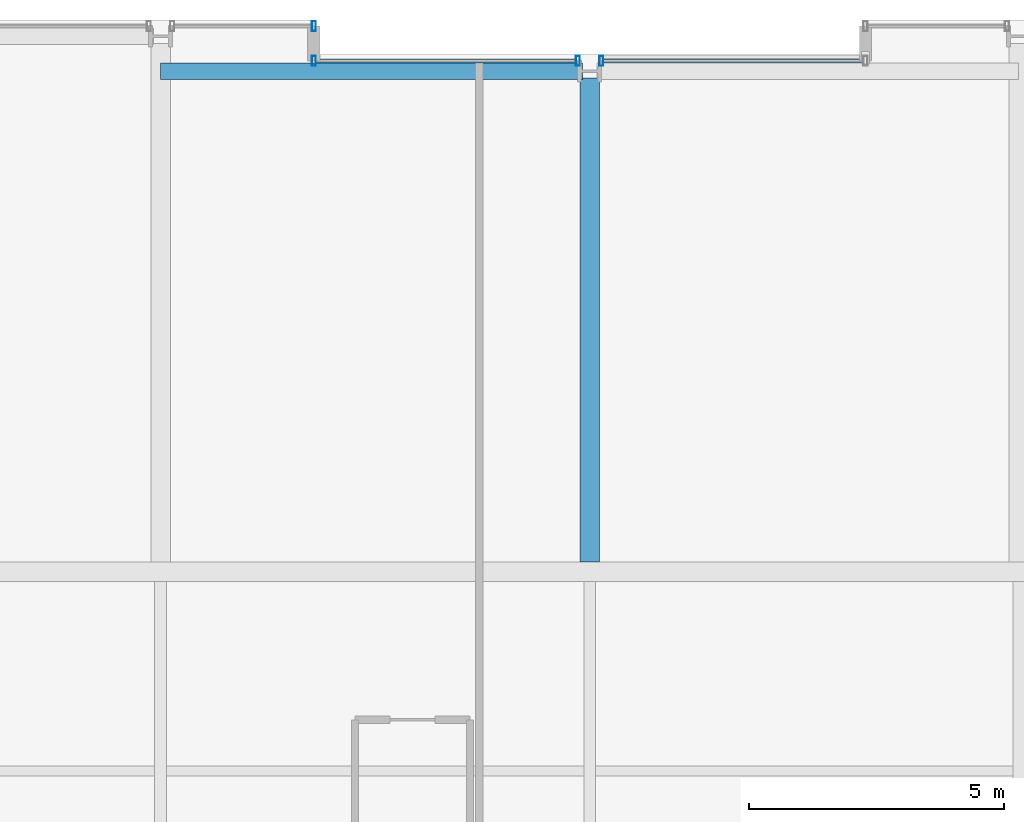
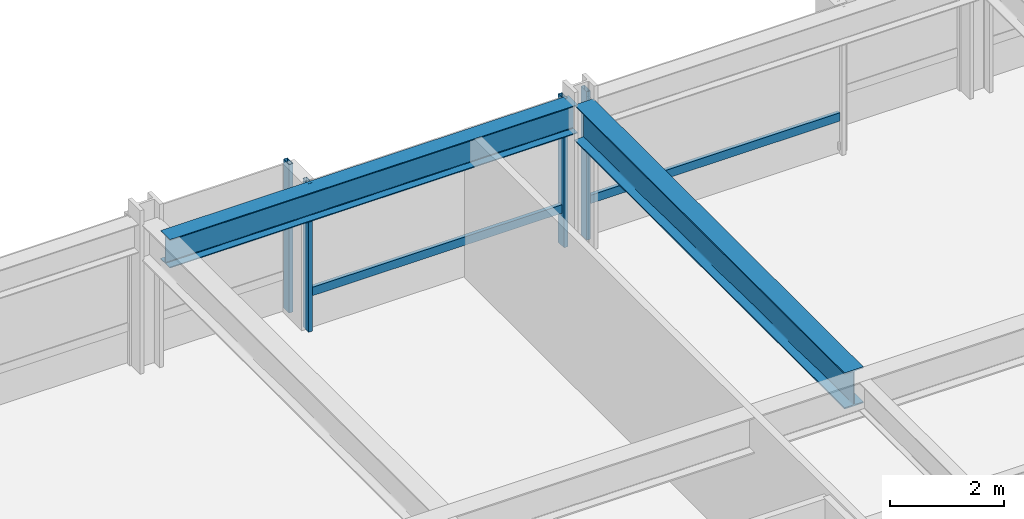
# One storey, part 23 of 37: 6 members, 2 beams, 3 elements without a shape of their own.
"""IFC4 building model written with IfcOpenShell, lengths in metres."""

from ifc_helpers import new_model, si_unit, direction, frame, origin, origin_2d, place, context, subcontext, project, spatial, hollow_rectangle, i_section, extrude, material, layer, layer_set, material_profile, profile_set, type_object, element, aggregate, save


model = new_model("IFC4")

# Units and contexts
model_context = context("Model", 3, precision=1e-05, world=origin(), true_north=direction((0.0, 1.0)))
body_context = subcontext(model_context, "Body", "Model", "MODEL_VIEW")
ifc_project = project(units=[si_unit("LENGTHUNIT", "METRE"), si_unit("AREAUNIT", "SQUARE_METRE"), si_unit("VOLUMEUNIT", "CUBIC_METRE"), si_unit("PLANEANGLEUNIT", "RADIAN"), si_unit("MASSUNIT", "GRAM", prefix="KILO")], contexts=[model_context])

# Site, building, storey
site_placement = place(None, origin())
site = spatial("IfcSite", under=ifc_project, at=site_placement, CompositionType="ELEMENT")
building_placement = place(site_placement, origin())
building = spatial("IfcBuilding", under=site, at=building_placement, Name="Drelvath Grand Hotel", CompositionType="ELEMENT")
storey_placement = place(building_placement, frame((0.0, 0.0, 78.699951171875)))
storey = spatial("IfcBuildingStorey", under=building, at=storey_placement, Name="L19", CompositionType="ELEMENT", Elevation=78.699951171875)

# Curtain wall, member
ifc_material_1 = material(Name="Warm Bronze Anodised Aluminium Frame", Category="aluminium")
ifc_layer = layer(ifc_material_1, 0.199951171875)
ifc_layer_set = layer_set([ifc_layer], Name="Warm Bronze Anodised Aluminium Frame")
curtain_wall_type = type_object("IfcCurtainWallType", Name="Stick Curtain Wall CW-02 Warm Bronze Low-Rise", PredefinedType="NOTDEFINED", material=ifc_layer_set)
curtain_wall_1_placement = place(storey_placement, origin())
curtain_wall_1 = element("IfcCurtainWall", 1, at=curtain_wall_1_placement, inside=storey, type_object=curtain_wall_type, Name="L19 CW-02 Curtain Wall CW02-L19-NM1", PredefinedType="NOTDEFINED")
ifc_material_profile_1 = material_profile(ifc_material_1, hollow_rectangle(XDim=0.074951171875, YDim=0.179931640625, WallThickness=0.0048828125, at=origin_2d()), Name="HSS180X75X5")
ifc_profile_set_1 = profile_set([ifc_material_profile_1], Name="Warm Bronze Anodised Aluminium Frame")
member_type_1 = type_object("IfcMemberType", Name="Curtain Wall Horizontal Transom CW-02 HSS180X75X5", PredefinedType="USERDEFINED", material=ifc_profile_set_1)
member_1_placement = place(storey_placement, frame((-5.360107421875, 53.199951171875, 0.795166015625), z_axis=(1.0, 0.0, 0.0), x_axis=(0.0, 1.0, 0.0)))
member_1 = element("IfcMember", 2, at=member_1_placement, type_object=member_type_1, Name="CW02-L19-NM1 Sill Transom", ObjectType="TRANSOM", PredefinedType="USERDEFINED", context=body_context, shape_type="SweptSolid", body=[
    extrude(hollow_rectangle(XDim=0.074951171875, YDim=0.179931640625, WallThickness=0.0048828125, at=origin_2d()), origin(), (0.0, 0.0, 1.0), 5.091064453125),
])

curtain_wall_2_placement = place(storey_placement, origin())
curtain_wall_2 = element("IfcCurtainWall", 3, at=curtain_wall_2_placement, inside=storey, type_object=curtain_wall_type, Name="L19 CW-02 Curtain Wall CW02-L19-NM2", PredefinedType="NOTDEFINED")
member_2_placement = place(storey_placement, frame((0.26904296875, 53.199951171875, 0.795166015625), z_axis=(1.0, 0.0, 0.0), x_axis=(0.0, 1.0, 0.0)))
member_2 = element("IfcMember", 4, at=member_2_placement, type_object=member_type_1, Name="CW02-L19-NM2 Sill Transom", ObjectType="TRANSOM", PredefinedType="USERDEFINED", context=body_context, shape_type="SweptSolid", body=[
    extrude(hollow_rectangle(XDim=0.074951171875, YDim=0.179931640625, WallThickness=0.0048828125, at=origin_2d()), origin(), (0.0, 0.0, 1.0), 5.091064453125),
])

curtain_wall_3_placement = place(storey_placement, origin())
curtain_wall_3 = element("IfcCurtainWall", 5, at=curtain_wall_3_placement, inside=storey, type_object=curtain_wall_type, Name="L19 CW-02 Curtain Wall CW02-L19-NW3", PredefinedType="NOTDEFINED")
ifc_material_profile_2 = material_profile(ifc_material_1, hollow_rectangle(XDim=0.080078125, YDim=0.199951171875, WallThickness=0.0048828125, at=origin_2d()), Name="HSS200X80X5")
ifc_profile_set_2 = profile_set([ifc_material_profile_2], Name="Warm Bronze Anodised Aluminium Frame")
member_type_2 = type_object("IfcMemberType", Name="Curtain Wall Vertical Mullion CW-02 HSS200X80X5", PredefinedType="MULLION", material=ifc_profile_set_2)
member_3_placement = place(storey_placement, frame((-5.39990234375, 53.8798828125, 0.0), z_axis=(0.0, 0.0, 1.0), x_axis=(1.0, 0.0, 0.0)))
member_3 = element("IfcMember", 6, at=member_3_placement, type_object=member_type_2, Name="CW02-L19-NW3 Mullion 2", PredefinedType="MULLION", context=body_context, shape_type="SweptSolid", body=[
    extrude(hollow_rectangle(XDim=0.080078125, YDim=0.199951171875, WallThickness=0.0048828125, at=origin_2d()), origin(), (0.0, 0.0, 1.0), 3.179931640625),
])
aggregate(curtain_wall_3, [member_3])

# Member
member_4_placement = place(storey_placement, frame((-5.39990234375, 53.199951171875, 0.0), z_axis=(0.0, 0.0, 1.0), x_axis=(1.0, 0.0, 0.0)))
member_4 = element("IfcMember", 7, at=member_4_placement, type_object=member_type_2, Name="CW02-L19-NM1 Mullion 1", PredefinedType="MULLION", context=body_context, shape_type="SweptSolid", body=[
    extrude(hollow_rectangle(XDim=0.080078125, YDim=0.199951171875, WallThickness=0.0048828125, at=origin_2d()), origin(), (0.0, 0.0, 1.0), 3.179931640625),
])

member_5_placement = place(storey_placement, frame((-0.22900390625, 53.199951171875, 0.0), z_axis=(0.0, 0.0, 1.0), x_axis=(1.0, 0.0, 0.0)))
member_5 = element("IfcMember", 8, at=member_5_placement, type_object=member_type_2, Name="CW02-L19-NM1 Mullion 2", PredefinedType="MULLION", context=body_context, shape_type="SweptSolid", body=[
    extrude(hollow_rectangle(XDim=0.080078125, YDim=0.199951171875, WallThickness=0.0048828125, at=origin_2d()), origin(), (0.0, 0.0, 1.0), 3.179931640625),
])

aggregate(curtain_wall_1, [member_4, member_5, member_1])

member_6_placement = place(storey_placement, frame((0.22900390625, 53.199951171875, 0.0), z_axis=(0.0, 0.0, 1.0), x_axis=(1.0, 0.0, 0.0)))
member_6 = element("IfcMember", 9, at=member_6_placement, type_object=member_type_2, Name="CW02-L19-NM2 Mullion 1", PredefinedType="MULLION", context=body_context, shape_type="SweptSolid", body=[
    extrude(hollow_rectangle(XDim=0.080078125, YDim=0.199951171875, WallThickness=0.0048828125, at=origin_2d()), origin(), (0.0, 0.0, 1.0), 3.179931640625),
])

aggregate(curtain_wall_2, [member_6, member_2])

# Beams
ifc_material_2 = material(Name="Steel ASTM A992 Gr 50", Category="steel")
ifc_material_profile_3 = material_profile(ifc_material_2, i_section(OverallWidth=0.323974609375, OverallDepth=0.611083984375, WebThickness=0.0126953125, FlangeThickness=0.01904296875, FilletRadius=0.02197265625, at=origin_2d()), Name="W24X104")
ifc_profile_set_3 = profile_set([ifc_material_profile_3], Name="Steel ASTM A992 Gr 50")
beam_type_1 = type_object("IfcBeamType", Name="Perimeter Spandrel Beam W24X104", PredefinedType="SPANDREL", material=ifc_profile_set_3)
beam_1_placement = place(storey_placement, frame((-8.39990234375, 53.0, 2.87451171875), z_axis=(1.0, 0.0, 0.0), x_axis=(0.0, 1.0, 0.0)))
element("IfcBeam", 10, at=beam_1_placement, inside=storey, type_object=beam_type_1, Name="L19 Spandrel North Mid W", PredefinedType="SPANDREL", context=body_context, shape_type="SweptSolid", body=[
    extrude(i_section(OverallWidth=0.323974609375, OverallDepth=0.611083984375, WebThickness=0.0126953125, FlangeThickness=0.01904296875, FilletRadius=0.02197265625, at=origin_2d()), origin(), (0.0, 0.0, 1.0), 8.260009765625),
])
ifc_material_profile_4 = material_profile(ifc_material_2, i_section(OverallWidth=0.380615234375, OverallDepth=0.773193359375, WebThickness=0.0166015625, FlangeThickness=0.027099609375, FilletRadius=0.02490234375, at=origin_2d()), Name="W30X173")
ifc_profile_set_4 = profile_set([ifc_material_profile_4], Name="Steel ASTM A992 Gr 50")
beam_type_2 = type_object("IfcBeamType", Name="Primary Floor Girder W30X173", PredefinedType="BEAM", material=ifc_profile_set_4)
beam_2_placement = place(storey_placement, frame((0.0, 43.390380859375, 2.79345703125), z_axis=(0.0, 1.0, 0.0), x_axis=(-1.0, 0.0, 0.0)))
element("IfcBeam", 11, at=beam_2_placement, inside=storey, type_object=beam_type_2, Name="L19 North Wing Girder 5", PredefinedType="BEAM", context=body_context, shape_type="SweptSolid", body=[
    extrude(i_section(OverallWidth=0.380615234375, OverallDepth=0.773193359375, WebThickness=0.0166015625, FlangeThickness=0.027099609375, FilletRadius=0.02490234375, at=origin_2d()), origin(), (0.0, 0.0, 1.0), 9.4697265625),
])

save(model, "model.ifc")
